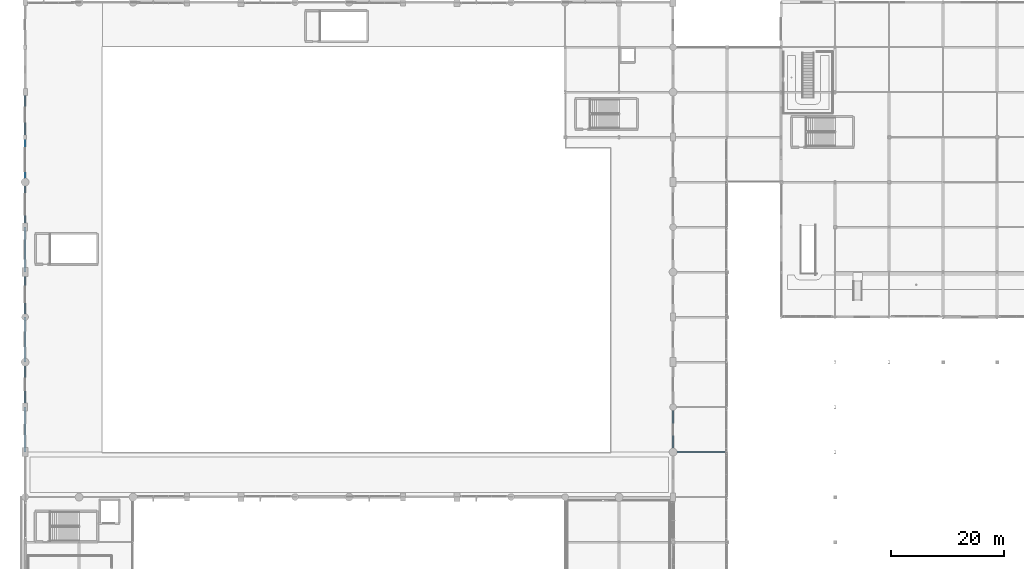
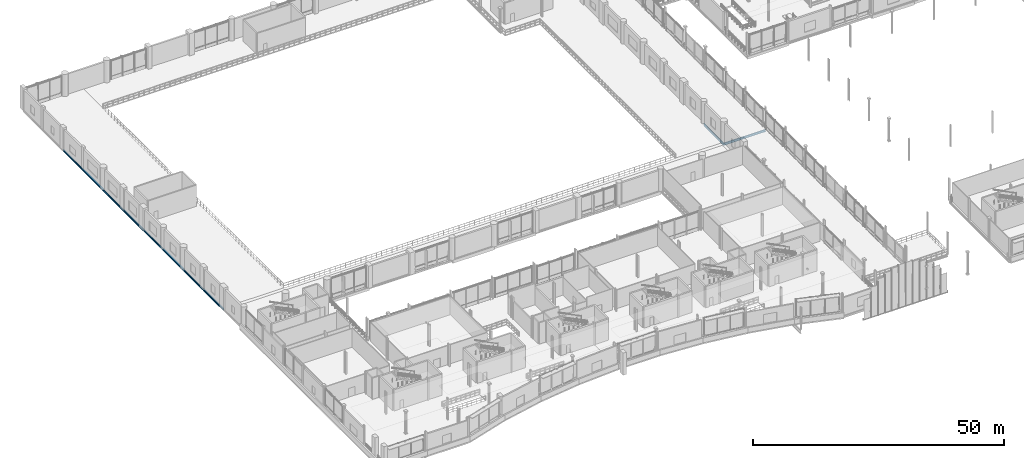
# One storey, part 48 of 129: 10 beams.
"""IFC4 building model written with IfcOpenShell, lengths in metres."""

import ifcopenshell
import ifcopenshell.guid

model = None  # the IFC model being written
_history = None  # IfcOwnerHistory: only IFC2X3 demands one
_inside = {}  # id of a spatial element -> (the spatial element, [elements in it])
_under = {}  # id of a project, library or spatial element -> (it, [spatial elements below it])
_declared = {}  # id of a project -> (the project, [libraries it declares])
_typed = {}  # id of a type object -> (the type object, [elements of that type])
_made_of = {}  # id of a material, layer set ... -> (it, [elements and type objects made of it])


def new_model(schema):
    """Start an empty IFC model of exactly this schema.

    Asked for "IFC4X3", IfcOpenShell would pick the latest addendum, in which some entities
    have other attributes; the version numbers below select the first issue.
    IFC2X3 requires an IfcOwnerHistory on every rooted entity: one is made here for all.
    """
    global model, _history
    if schema == "IFC4X3":
        model = ifcopenshell.file(schema_version=(4, 3, 0, 0))
    else:
        model = ifcopenshell.file(schema=schema)
    _inside.clear()
    _under.clear()
    _declared.clear()
    _typed.clear()
    _made_of.clear()
    _history = None
    if model.schema == "IFC2X3":
        org = make("IfcOrganization", Name="unknown")
        user = make(
            "IfcPersonAndOrganization",
            ThePerson=make("IfcPerson", FamilyName="unknown"),
            TheOrganization=org,
        )
        app = make(
            "IfcApplication",
            ApplicationDeveloper=org,
            Version="unknown",
            ApplicationFullName="unknown",
            ApplicationIdentifier="unknown",
        )
        _history = make(
            "IfcOwnerHistory",
            OwningUser=user,
            OwningApplication=app,
            ChangeAction="ADDED",
            CreationDate=0,
        )
    return model


def make(cls, **values):
    """One entity of the class cls with the attributes given. An attribute that is None is left unset."""
    return model.create_entity(
        cls, **{name: value for name, value in values.items() if value is not None}
    )


def rooted(cls, **values):
    """An entity with a GlobalId (a new one), such as an element, a storey or a relation."""
    return make(cls, GlobalId=ifcopenshell.guid.new(), OwnerHistory=_history, **values)


def si_unit(unit_type, name, prefix=None):
    """IfcSIUnit, for example si_unit("LENGTHUNIT", "METRE", prefix="MILLI")."""
    return make("IfcSIUnit", UnitType=unit_type, Prefix=prefix, Name=name)


def assignment(units):
    """IfcUnitAssignment: the units of a project."""
    return None if units is None else make("IfcUnitAssignment", Units=units)


def point(xyz):
    """IfcCartesianPoint."""
    return None if xyz is None else make("IfcCartesianPoint", Coordinates=xyz)


def direction(xyz):
    """IfcDirection."""
    return None if xyz is None else make("IfcDirection", DirectionRatios=xyz)


def frame(location, z_axis=None, x_axis=None):
    """IfcAxis2Placement3D, a coordinate frame: its origin and axes. An axis left out is left unset."""
    return make(
        "IfcAxis2Placement3D",
        Location=point(location),
        Axis=direction(z_axis),
        RefDirection=direction(x_axis),
    )


def frame_2d(location, x_axis=None):
    """IfcAxis2Placement2D, a coordinate frame in the plane: its origin and x axis."""
    return make(
        "IfcAxis2Placement2D", Location=point(location), RefDirection=direction(x_axis)
    )


def origin():
    """The frame at (0, 0, 0) with its axes left unset."""
    return frame((0.0, 0.0, 0.0))


def origin_2d():
    """The frame at (0, 0) in the plane with its x axis left unset."""
    return frame_2d((0.0, 0.0))


def place(relative_to, where):
    """IfcLocalPlacement: puts the frame where relative to a parent placement (None: the world)."""
    return make(
        "IfcLocalPlacement", PlacementRelTo=relative_to, RelativePlacement=where
    )


def context(
    kind, dimensions, precision=None, world=None, true_north=None, identifier=None
):
    """IfcGeometricRepresentationContext, for example the 3D "Model" context."""
    return make(
        "IfcGeometricRepresentationContext",
        ContextIdentifier=identifier,
        ContextType=kind,
        CoordinateSpaceDimension=dimensions,
        Precision=precision,
        WorldCoordinateSystem=world,
        TrueNorth=true_north,
    )


def subcontext(parent, identifier, kind, view, scale=None):
    """IfcGeometricRepresentationSubContext, for example "Body" below "Model"."""
    return make(
        "IfcGeometricRepresentationSubContext",
        ContextIdentifier=identifier,
        ContextType=kind,
        ParentContext=parent,
        TargetScale=scale,
        TargetView=view,
    )


def project(units=None, contexts=None):
    """IfcProject with its units and contexts."""
    return rooted(
        "IfcProject",
        Name="project",
        RepresentationContexts=contexts,
        UnitsInContext=assignment(units),
    )


def spatial(cls, under=None, at=None, **own):
    """A site, building, storey or space (cls), placed at a placement, below another one or the project."""
    s = rooted(cls, ObjectPlacement=at, **own)
    if under is not None:
        _under.setdefault(under.id(), (under, []))[1].append(s)
    return s


def profile(cls, at=None, kind="AREA", **sizes):
    """A parametric profile (cls). Its sizes go by their IFC names, for example OverallWidth=200.0."""
    return make(cls, ProfileType=kind, Position=at, **sizes)


def i_section(**sizes):
    """IfcIShapeProfileDef."""
    return profile("IfcIShapeProfileDef", **sizes)


def extrude(swept, where, along, depth):
    """IfcExtrudedAreaSolid: the profile swept, set in the frame where, extruded along a direction by depth."""
    return make(
        "IfcExtrudedAreaSolid",
        SweptArea=swept,
        Position=where,
        ExtrudedDirection=direction(along),
        Depth=depth,
    )


def shape(context_of_items, identifier, shape_type, items):
    """IfcShapeRepresentation: the items that make up one representation, for example the "Body"."""
    return make(
        "IfcShapeRepresentation",
        ContextOfItems=context_of_items,
        RepresentationIdentifier=identifier,
        RepresentationType=shape_type,
        Items=items,
    )


def material(Name=None, Category=None):
    """IfcMaterial."""
    return make("IfcMaterial", Name=Name, Category=Category)


def material_profile(
    of_material, cross_section, Name=None, Category=None, Priority=None
):
    """IfcMaterialProfile: a cross section and its material."""
    return make(
        "IfcMaterialProfile",
        Name=Name,
        Material=of_material,
        Profile=cross_section,
        Priority=Priority,
        Category=Category,
    )


def profile_set(profiles, Name=None, composite=None):
    """IfcMaterialProfileSet."""
    return make(
        "IfcMaterialProfileSet",
        Name=Name,
        MaterialProfiles=profiles,
        CompositeProfile=composite,
    )


def made_of(thing, what):
    """Note that an element or type object is made of a material, layer set ...; save() writes the relation."""
    if what is not None:
        _made_of.setdefault(what.id(), (what, []))[1].append(thing)
    return thing


def type_object(cls, material=None, **own):
    """A type object (cls), such as IfcWallType, which elements share."""
    return made_of(rooted(cls, **own), material)


def element(
    cls,
    number,
    at=None,
    inside=None,
    cuts=None,
    type_object=None,
    material=None,
    context=None,
    identifier="Body",
    shape_type=None,
    held_by="IfcProductDefinitionShape",
    body=None,
    shapes=None,
    **own,
):
    """One element of the class cls, such as IfcWall. Its Tag is "e" and its number.

    at: its placement. inside: the storey or other place that contains it. cuts: it is an
    opening in that element (IfcRelVoidsElement). A single representation is given by context,
    identifier, shape_type and body (its items); several are given by shapes. held_by: the class
    of the entity that holds the representations. save() writes the other relations.
    """
    e = rooted(cls, Tag="e%d" % number, ObjectPlacement=at, **own)
    if body is not None:
        shapes = [shape(context, identifier, shape_type, body)]
    if shapes is not None:
        e.Representation = make(held_by, Representations=shapes)
    if inside is not None:
        _inside.setdefault(inside.id(), (inside, []))[1].append(e)
    if cuts is not None:
        rooted(
            "IfcRelVoidsElement", RelatingBuildingElement=cuts, RelatedOpeningElement=e
        )
    if type_object is not None:
        _typed.setdefault(type_object.id(), (type_object, []))[1].append(e)
    return made_of(e, material)


def aggregate(whole, parts):
    """IfcRelAggregates: a whole, such as a stair, and the parts it consists of."""
    return rooted("IfcRelAggregates", RelatingObject=whole, RelatedObjects=parts)


def save(model, path):
    """Write the relations noted so far, then the file.

    IfcRelAggregates (storeys below a building ...), IfcRelContainedInSpatialStructure (elements
    in a storey), IfcRelDefinesByType, IfcRelAssociatesMaterial and IfcRelDeclares: one each for
    every whole, place, type object, material and project.
    """
    for whole, parts in _under.values():
        aggregate(whole, parts)
    for where, things in _inside.values():
        rooted(
            "IfcRelContainedInSpatialStructure",
            RelatedElements=things,
            RelatingStructure=where,
        )
    for kind, things in _typed.values():
        rooted("IfcRelDefinesByType", RelatedObjects=things, RelatingType=kind)
    for what, things in _made_of.values():
        rooted("IfcRelAssociatesMaterial", RelatedObjects=things, RelatingMaterial=what)
    for by, libraries in _declared.values():
        rooted("IfcRelDeclares", RelatingContext=by, RelatedDefinitions=libraries)
    model.write(path)


model = new_model("IFC4")

# Units and contexts
model_context = context("Model", 3, precision=1e-05, world=origin(), true_north=direction((0.0, 1.0)))
body_context = subcontext(model_context, "Body", "Model", "MODEL_VIEW")
ifc_project = project(units=[si_unit("LENGTHUNIT", "METRE"), si_unit("AREAUNIT", "SQUARE_METRE"), si_unit("VOLUMEUNIT", "CUBIC_METRE"), si_unit("PLANEANGLEUNIT", "RADIAN"), si_unit("MASSUNIT", "GRAM", prefix="KILO")], contexts=[model_context])

# Site, building, storey
site_placement = place(None, origin())
site = spatial("IfcSite", under=ifc_project, at=site_placement, CompositionType="ELEMENT")
building_placement = place(site_placement, origin())
building = spatial("IfcBuilding", under=site, at=building_placement, Name="Danafjord Basin Convention Centre", CompositionType="ELEMENT")
storey_placement = place(building_placement, frame((0.0, 0.0, 6.0)))
storey = spatial("IfcBuildingStorey", under=building, at=storey_placement, Name="L01", CompositionType="ELEMENT", Elevation=6.0)

# Beams
ifc_material = material(Name="Steel S355", Category="steel")
ifc_material_profile_1 = material_profile(ifc_material, i_section(OverallWidth=0.2099609375, OverallDepth=0.550048828125, WebThickness=0.010986328125, FlangeThickness=0.01708984375, FilletRadius=0.02392578125, at=origin_2d()), Name="IPE 550")
ifc_profile_set_1 = profile_set([ifc_material_profile_1], Name="Steel S355")
beam_type_1 = type_object("IfcBeamType", Name="BEAM-BM-IPE550", PredefinedType="BEAM", material=ifc_profile_set_1)
beam_1_placement = place(storey_placement, frame((115.199951171875, 64.0, -0.5048828125), z_axis=(1.0, 0.0, 0.0), x_axis=(0.0, 1.0, 0.0)))
element("IfcBeam", 1, at=beam_1_placement, inside=storey, type_object=beam_type_1, Name="L01 girder BM-IPE550", PredefinedType="BEAM", context=body_context, shape_type="SweptSolid", body=[
    extrude(i_section(OverallWidth=0.2099609375, OverallDepth=0.550048828125, WebThickness=0.010986328125, FlangeThickness=0.01708984375, FilletRadius=0.02392578125, at=origin_2d()), origin(), (0.0, 0.0, 1.0), 9.60009765625),
])
ifc_material_profile_2 = material_profile(ifc_material, i_section(OverallWidth=0.219970703125, OverallDepth=0.60009765625, WebThickness=0.011962890625, FlangeThickness=0.01904296875, FilletRadius=0.02392578125, at=origin_2d()), Name="IPE 600")
ifc_profile_set_2 = profile_set([ifc_material_profile_2], Name="Steel S355")
beam_type_2 = type_object("IfcBeamType", Name="BEAM-BM-IPE600", PredefinedType="BEAM", material=ifc_profile_set_2)
beam_2_placement = place(storey_placement, frame((115.199951171875, 64.0, -0.550048828125), z_axis=(0.0, 1.0, 0.0), x_axis=(-1.0, 0.0, 0.0)))
element("IfcBeam", 2, at=beam_2_placement, inside=storey, type_object=beam_type_2, Name="L01 transverse girder BM-IPE600", PredefinedType="BEAM", context=body_context, shape_type="SweptSolid", body=[
    extrude(i_section(OverallWidth=0.219970703125, OverallDepth=0.60009765625, WebThickness=0.011962890625, FlangeThickness=0.01904296875, FilletRadius=0.02392578125, at=origin_2d()), origin(), (0.0, 0.0, 1.0), 8.0),
])
ifc_material_profile_3 = material_profile(ifc_material, i_section(OverallWidth=0.300048828125, OverallDepth=0.39990234375, WebThickness=0.013427734375, FlangeThickness=0.02392578125, FilletRadius=0.027099609375, at=origin_2d()), Name="HEB 400")
ifc_profile_set_3 = profile_set([ifc_material_profile_3], Name="Steel S355")
beam_type_3 = type_object("IfcBeamType", Name="BEAM-SP-HEB400", PredefinedType="SPANDREL", material=ifc_profile_set_3)
for number, where, z_axis, x_axis, name in (
    (3, (0.0, 64.0, -0.449951171875), (0.0, 1.0, 0.0), (-1.0, 0.0, 0.0), "L01 transverse girder SP-HEB400"),
    (4, (0.0, 80.0, -0.449951171875), (0.0, 1.0, 0.0), (-1.0, 0.0, 0.0), "L01 transverse girder SP-HEB400"),
    (5, (0.0, 96.0, -0.449951171875), (0.0, 1.0, 0.0), (-1.0, 0.0, 0.0), "L01 transverse girder SP-HEB400"),
    (6, (0.0, 112.0, -0.449951171875), (0.0, 1.0, 0.0), (-1.0, 0.0, 0.0), "L01 transverse girder SP-HEB400"),
):
    element("IfcBeam", number, at=place(storey_placement, frame(where, z_axis=z_axis, x_axis=x_axis)), inside=storey, type_object=beam_type_3, Name=name, PredefinedType="SPANDREL", context=body_context, shape_type="SweptSolid", body=[
        extrude(i_section(OverallWidth=0.300048828125, OverallDepth=0.39990234375, WebThickness=0.013427734375, FlangeThickness=0.02392578125, FilletRadius=0.027099609375, at=origin_2d()), origin(), (0.0, 0.0, 1.0), 8.0),
    ])
ifc_material_profile_4 = material_profile(ifc_material, i_section(OverallWidth=0.18994140625, OverallDepth=0.449951171875, WebThickness=0.009521484375, FlangeThickness=0.0146484375, FilletRadius=0.02099609375, at=origin_2d()), Name="IPE 450")
ifc_profile_set_4 = profile_set([ifc_material_profile_4], Name="Steel S355")
beam_type_4 = type_object("IfcBeamType", Name="BEAM-SP-IPE450", PredefinedType="SPANDREL", material=ifc_profile_set_4)
for number, where, z_axis, x_axis, name in (
    (7, (0.0, 72.0, -0.47509765625), (0.0, 1.0, 0.0), (-1.0, 0.0, 0.0), "L01 transverse girder SP-IPE450"),
    (8, (0.0, 88.0, -0.47509765625), (0.0, 1.0, 0.0), (-1.0, 0.0, 0.0), "L01 transverse girder SP-IPE450"),
    (9, (0.0, 104.0, -0.47509765625), (0.0, 1.0, 0.0), (-1.0, 0.0, 0.0), "L01 transverse girder SP-IPE450"),
    (10, (0.0, 120.0, -0.47509765625), (0.0, 1.0, 0.0), (-1.0, 0.0, 0.0), "L01 transverse girder SP-IPE450"),
):
    element("IfcBeam", number, at=place(storey_placement, frame(where, z_axis=z_axis, x_axis=x_axis)), inside=storey, type_object=beam_type_4, Name=name, PredefinedType="SPANDREL", context=body_context, shape_type="SweptSolid", body=[
        extrude(i_section(OverallWidth=0.18994140625, OverallDepth=0.449951171875, WebThickness=0.009521484375, FlangeThickness=0.0146484375, FilletRadius=0.02099609375, at=origin_2d()), origin(), (0.0, 0.0, 1.0), 8.0),
    ])

save(model, "model.ifc")
